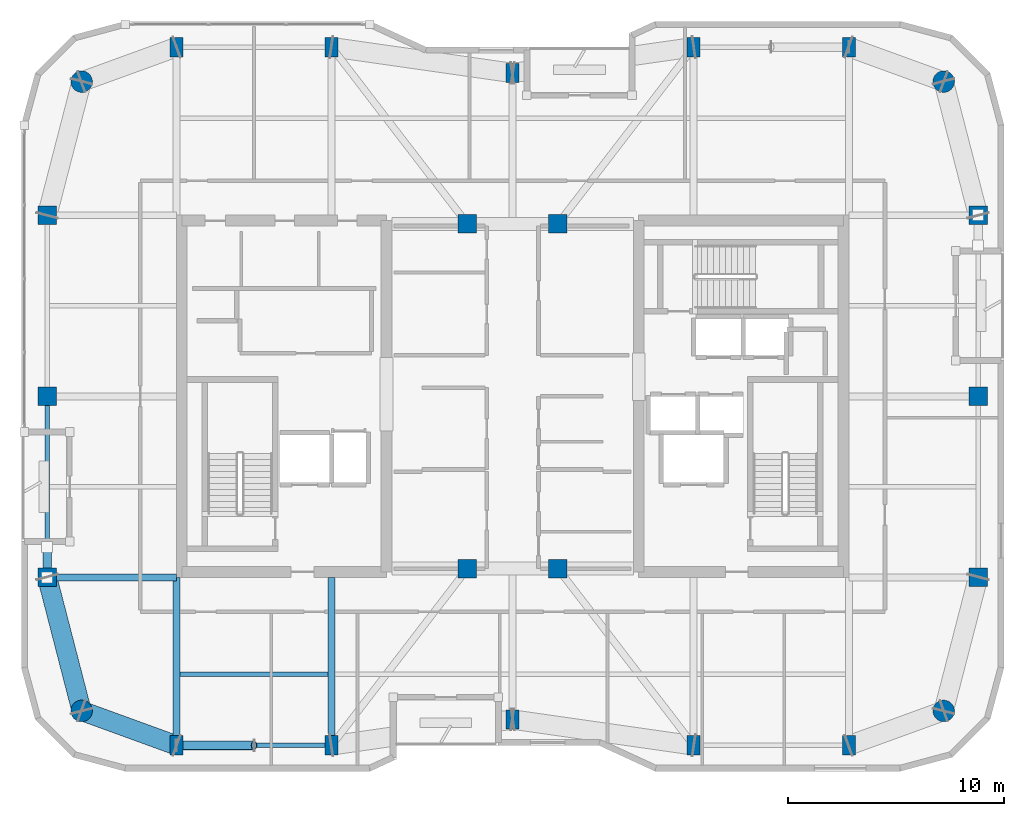
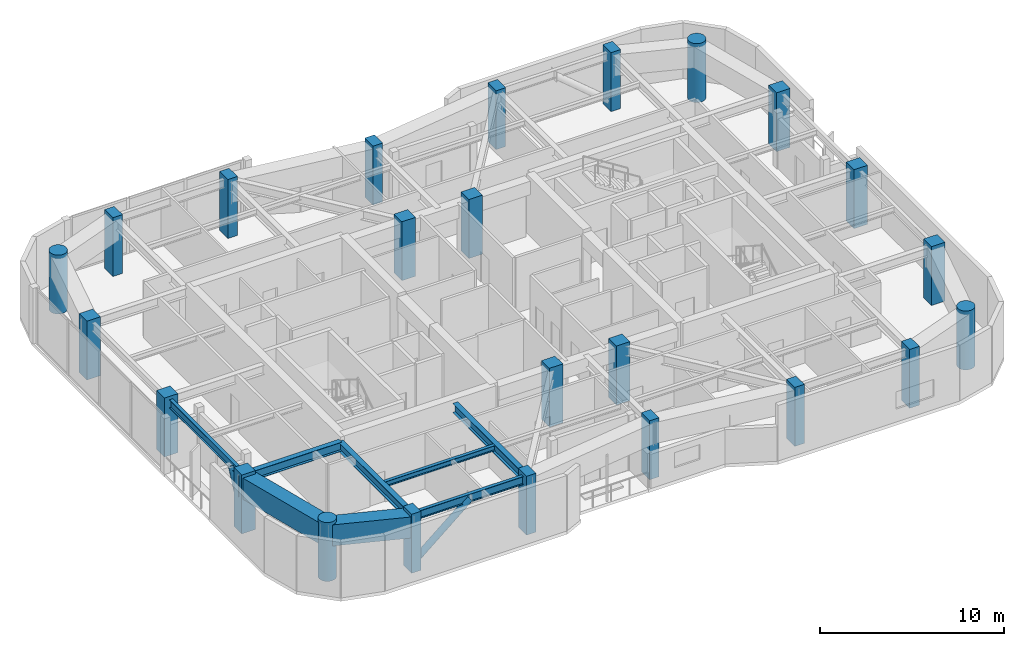
# One storey, part 1 of 15: 24 columns, 8 beams, 2 members.
"""IFC4 building model written with IfcOpenShell, lengths in metres."""

import ifcopenshell
import ifcopenshell.guid

model = None  # the IFC model being written
_history = None  # IfcOwnerHistory: only IFC2X3 demands one
_inside = {}  # id of a spatial element -> (the spatial element, [elements in it])
_under = {}  # id of a project, library or spatial element -> (it, [spatial elements below it])
_declared = {}  # id of a project -> (the project, [libraries it declares])
_typed = {}  # id of a type object -> (the type object, [elements of that type])
_made_of = {}  # id of a material, layer set ... -> (it, [elements and type objects made of it])


def new_model(schema):
    """Start an empty IFC model of exactly this schema.

    Asked for "IFC4X3", IfcOpenShell would pick the latest addendum, in which some entities
    have other attributes; the version numbers below select the first issue.
    IFC2X3 requires an IfcOwnerHistory on every rooted entity: one is made here for all.
    """
    global model, _history
    if schema == "IFC4X3":
        model = ifcopenshell.file(schema_version=(4, 3, 0, 0))
    else:
        model = ifcopenshell.file(schema=schema)
    _inside.clear()
    _under.clear()
    _declared.clear()
    _typed.clear()
    _made_of.clear()
    _history = None
    if model.schema == "IFC2X3":
        org = make("IfcOrganization", Name="unknown")
        user = make(
            "IfcPersonAndOrganization",
            ThePerson=make("IfcPerson", FamilyName="unknown"),
            TheOrganization=org,
        )
        app = make(
            "IfcApplication",
            ApplicationDeveloper=org,
            Version="unknown",
            ApplicationFullName="unknown",
            ApplicationIdentifier="unknown",
        )
        _history = make(
            "IfcOwnerHistory",
            OwningUser=user,
            OwningApplication=app,
            ChangeAction="ADDED",
            CreationDate=0,
        )
    return model


def make(cls, **values):
    """One entity of the class cls with the attributes given. An attribute that is None is left unset."""
    return model.create_entity(
        cls, **{name: value for name, value in values.items() if value is not None}
    )


def rooted(cls, **values):
    """An entity with a GlobalId (a new one), such as an element, a storey or a relation."""
    return make(cls, GlobalId=ifcopenshell.guid.new(), OwnerHistory=_history, **values)


def si_unit(unit_type, name, prefix=None):
    """IfcSIUnit, for example si_unit("LENGTHUNIT", "METRE", prefix="MILLI")."""
    return make("IfcSIUnit", UnitType=unit_type, Prefix=prefix, Name=name)


def assignment(units):
    """IfcUnitAssignment: the units of a project."""
    return None if units is None else make("IfcUnitAssignment", Units=units)


def point(xyz):
    """IfcCartesianPoint."""
    return None if xyz is None else make("IfcCartesianPoint", Coordinates=xyz)


def direction(xyz):
    """IfcDirection."""
    return None if xyz is None else make("IfcDirection", DirectionRatios=xyz)


def frame(location, z_axis=None, x_axis=None):
    """IfcAxis2Placement3D, a coordinate frame: its origin and axes. An axis left out is left unset."""
    return make(
        "IfcAxis2Placement3D",
        Location=point(location),
        Axis=direction(z_axis),
        RefDirection=direction(x_axis),
    )


def frame_2d(location, x_axis=None):
    """IfcAxis2Placement2D, a coordinate frame in the plane: its origin and x axis."""
    return make(
        "IfcAxis2Placement2D", Location=point(location), RefDirection=direction(x_axis)
    )


def origin():
    """The frame at (0, 0, 0) with its axes left unset."""
    return frame((0.0, 0.0, 0.0))


def origin_2d():
    """The frame at (0, 0) in the plane with its x axis left unset."""
    return frame_2d((0.0, 0.0))


def place(relative_to, where):
    """IfcLocalPlacement: puts the frame where relative to a parent placement (None: the world)."""
    return make(
        "IfcLocalPlacement", PlacementRelTo=relative_to, RelativePlacement=where
    )


def context(
    kind, dimensions, precision=None, world=None, true_north=None, identifier=None
):
    """IfcGeometricRepresentationContext, for example the 3D "Model" context."""
    return make(
        "IfcGeometricRepresentationContext",
        ContextIdentifier=identifier,
        ContextType=kind,
        CoordinateSpaceDimension=dimensions,
        Precision=precision,
        WorldCoordinateSystem=world,
        TrueNorth=true_north,
    )


def subcontext(parent, identifier, kind, view, scale=None):
    """IfcGeometricRepresentationSubContext, for example "Body" below "Model"."""
    return make(
        "IfcGeometricRepresentationSubContext",
        ContextIdentifier=identifier,
        ContextType=kind,
        ParentContext=parent,
        TargetScale=scale,
        TargetView=view,
    )


def project(units=None, contexts=None):
    """IfcProject with its units and contexts."""
    return rooted(
        "IfcProject",
        Name="project",
        RepresentationContexts=contexts,
        UnitsInContext=assignment(units),
    )


def spatial(cls, under=None, at=None, **own):
    """A site, building, storey or space (cls), placed at a placement, below another one or the project."""
    s = rooted(cls, ObjectPlacement=at, **own)
    if under is not None:
        _under.setdefault(under.id(), (under, []))[1].append(s)
    return s


def profile(cls, at=None, kind="AREA", **sizes):
    """A parametric profile (cls). Its sizes go by their IFC names, for example OverallWidth=200.0."""
    return make(cls, ProfileType=kind, Position=at, **sizes)


def rectangle(**sizes):
    """IfcRectangleProfileDef."""
    return profile("IfcRectangleProfileDef", **sizes)


def hollow_rectangle(**sizes):
    """IfcRectangleHollowProfileDef."""
    return profile("IfcRectangleHollowProfileDef", **sizes)


def circle(**sizes):
    """IfcCircleProfileDef."""
    return profile("IfcCircleProfileDef", **sizes)


def hollow_circle(**sizes):
    """IfcCircleHollowProfileDef."""
    return profile("IfcCircleHollowProfileDef", **sizes)


def i_section(**sizes):
    """IfcIShapeProfileDef."""
    return profile("IfcIShapeProfileDef", **sizes)


def extrude(swept, where, along, depth):
    """IfcExtrudedAreaSolid: the profile swept, set in the frame where, extruded along a direction by depth."""
    return make(
        "IfcExtrudedAreaSolid",
        SweptArea=swept,
        Position=where,
        ExtrudedDirection=direction(along),
        Depth=depth,
    )


def shape(context_of_items, identifier, shape_type, items):
    """IfcShapeRepresentation: the items that make up one representation, for example the "Body"."""
    return make(
        "IfcShapeRepresentation",
        ContextOfItems=context_of_items,
        RepresentationIdentifier=identifier,
        RepresentationType=shape_type,
        Items=items,
    )


def material(Name=None, Category=None):
    """IfcMaterial."""
    return make("IfcMaterial", Name=Name, Category=Category)


def material_profile(
    of_material, cross_section, Name=None, Category=None, Priority=None
):
    """IfcMaterialProfile: a cross section and its material."""
    return make(
        "IfcMaterialProfile",
        Name=Name,
        Material=of_material,
        Profile=cross_section,
        Priority=Priority,
        Category=Category,
    )


def profile_set(profiles, Name=None, composite=None):
    """IfcMaterialProfileSet."""
    return make(
        "IfcMaterialProfileSet",
        Name=Name,
        MaterialProfiles=profiles,
        CompositeProfile=composite,
    )


def made_of(thing, what):
    """Note that an element or type object is made of a material, layer set ...; save() writes the relation."""
    if what is not None:
        _made_of.setdefault(what.id(), (what, []))[1].append(thing)
    return thing


def type_object(cls, material=None, **own):
    """A type object (cls), such as IfcWallType, which elements share."""
    return made_of(rooted(cls, **own), material)


def element(
    cls,
    number,
    at=None,
    inside=None,
    cuts=None,
    type_object=None,
    material=None,
    context=None,
    identifier="Body",
    shape_type=None,
    held_by="IfcProductDefinitionShape",
    body=None,
    shapes=None,
    **own,
):
    """One element of the class cls, such as IfcWall. Its Tag is "e" and its number.

    at: its placement. inside: the storey or other place that contains it. cuts: it is an
    opening in that element (IfcRelVoidsElement). A single representation is given by context,
    identifier, shape_type and body (its items); several are given by shapes. held_by: the class
    of the entity that holds the representations. save() writes the other relations.
    """
    e = rooted(cls, Tag="e%d" % number, ObjectPlacement=at, **own)
    if body is not None:
        shapes = [shape(context, identifier, shape_type, body)]
    if shapes is not None:
        e.Representation = make(held_by, Representations=shapes)
    if inside is not None:
        _inside.setdefault(inside.id(), (inside, []))[1].append(e)
    if cuts is not None:
        rooted(
            "IfcRelVoidsElement", RelatingBuildingElement=cuts, RelatedOpeningElement=e
        )
    if type_object is not None:
        _typed.setdefault(type_object.id(), (type_object, []))[1].append(e)
    return made_of(e, material)


def aggregate(whole, parts):
    """IfcRelAggregates: a whole, such as a stair, and the parts it consists of."""
    return rooted("IfcRelAggregates", RelatingObject=whole, RelatedObjects=parts)


def save(model, path):
    """Write the relations noted so far, then the file.

    IfcRelAggregates (storeys below a building ...), IfcRelContainedInSpatialStructure (elements
    in a storey), IfcRelDefinesByType, IfcRelAssociatesMaterial and IfcRelDeclares: one each for
    every whole, place, type object, material and project.
    """
    for whole, parts in _under.values():
        aggregate(whole, parts)
    for where, things in _inside.values():
        rooted(
            "IfcRelContainedInSpatialStructure",
            RelatedElements=things,
            RelatingStructure=where,
        )
    for kind, things in _typed.values():
        rooted("IfcRelDefinesByType", RelatedObjects=things, RelatingType=kind)
    for what, things in _made_of.values():
        rooted("IfcRelAssociatesMaterial", RelatedObjects=things, RelatingMaterial=what)
    for by, libraries in _declared.values():
        rooted("IfcRelDeclares", RelatingContext=by, RelatedDefinitions=libraries)
    model.write(path)


model = new_model("IFC4")

# Units and contexts
model_context = context("Model", 3, precision=1e-05, world=origin(), true_north=direction((0.0, 1.0)))
body_context = subcontext(model_context, "Body", "Model", "MODEL_VIEW")
ifc_project = project(units=[si_unit("LENGTHUNIT", "METRE"), si_unit("AREAUNIT", "SQUARE_METRE"), si_unit("VOLUMEUNIT", "CUBIC_METRE"), si_unit("PLANEANGLEUNIT", "RADIAN"), si_unit("MASSUNIT", "GRAM", prefix="KILO")], contexts=[model_context])

# Site, building, storey
site_placement = place(None, origin())
site = spatial("IfcSite", under=ifc_project, at=site_placement, CompositionType="ELEMENT")
building_placement = place(site_placement, origin())
building = spatial("IfcBuilding", under=site, at=building_placement, Name="Kiyonajd Concourse Tower", CompositionType="ELEMENT")
storey_placement = place(building_placement, frame((0.0, 0.0, 314.10009765625)))
storey = spatial("IfcBuildingStorey", under=building, at=storey_placement, Name="L79", CompositionType="ELEMENT", Elevation=314.10009765625)

# Columns
ifc_material_1 = material(Name="Concrete C60/75", Category="concrete")
ifc_material_profile_1 = material_profile(ifc_material_1, rectangle(XDim=0.60009765625, YDim=0.89990234375, at=origin_2d()), Name="RC-900x600")
ifc_profile_set_1 = profile_set([ifc_material_profile_1], Name="Concrete C60/75")
column_type_1 = type_object("IfcColumnType", Name="CL-BLADE-900", PredefinedType="COLUMN", material=ifc_profile_set_1)
for number, where, z_axis, x_axis, name in (
    (1, (32.39990234375, 19.800048828125, 0.0), (0.0, 0.0, 1.0), (1.0, 0.0, 0.0), "L79 Perimeter Bundled Tube Column"),
    (2, (32.39990234375, 52.199951171875, 0.0), (0.0, 0.0, 1.0), (1.0, 0.0, 0.0), "L79 Perimeter Bundled Tube Column"),
    (3, (39.60009765625, 19.800048828125, 0.0), (0.0, 0.0, 1.0), (1.0, 0.0, 0.0), "L79 Perimeter Bundled Tube Column"),
    (4, (39.60009765625, 52.199951171875, 0.0), (0.0, 0.0, 1.0), (1.0, 0.0, 0.0), "L79 Perimeter Bundled Tube Column"),
    (5, (48.0, 21.0, 0.0), (0.0, 0.0, 1.0), (1.0, 0.0, 0.0), "L79 Perimeter Bundled Tube Column"),
    (6, (48.0, 51.0, 0.0), (0.0, 0.0, 1.0), (1.0, 0.0, 0.0), "L79 Perimeter Bundled Tube Column"),
    (7, (56.39990234375, 19.800048828125, 0.0), (0.0, 0.0, 1.0), (1.0, 0.0, 0.0), "L79 Perimeter Bundled Tube Column"),
    (8, (56.39990234375, 52.199951171875, 0.0), (0.0, 0.0, 1.0), (1.0, 0.0, 0.0), "L79 Perimeter Bundled Tube Column"),
    (9, (63.60009765625, 19.800048828125, 0.0), (0.0, 0.0, 1.0), (1.0, 0.0, 0.0), "L79 Perimeter Bundled Tube Column"),
    (10, (63.60009765625, 52.199951171875, 0.0), (0.0, 0.0, 1.0), (1.0, 0.0, 0.0), "L79 Perimeter Bundled Tube Column"),
):
    element("IfcColumn", number, at=place(storey_placement, frame(where, z_axis=z_axis, x_axis=x_axis)), inside=storey, type_object=column_type_1, Name=name, PredefinedType="COLUMN", context=body_context, shape_type="SweptSolid", body=[
        extrude(rectangle(XDim=0.60009765625, YDim=0.89990234375, at=origin_2d()), origin(), (0.0, 0.0, 1.0), 3.89990234375),
    ])
ifc_material_profile_2 = material_profile(ifc_material_1, circle(Radius=0.5, at=origin_2d()), Name="RCC-D1000")
ifc_profile_set_2 = profile_set([ifc_material_profile_2], Name="Concrete C60/75")
column_type_2 = type_object("IfcColumnType", Name="CL-RND-1000", PredefinedType="COLUMN", material=ifc_profile_set_2)
for number, where, z_axis, x_axis, name in (
    (11, (28.0, 21.39990234375, 0.0), (0.0, 0.0, 1.0), (1.0, 0.0, 0.0), "L79 Bundled Tube Corner Column South West"),
    (12, (68.0, 21.39990234375, 0.0), (0.0, 0.0, 1.0), (1.0, 0.0, 0.0), "L79 Bundled Tube Corner Column South East"),
    (13, (68.0, 50.60009765625, 0.0), (0.0, 0.0, 1.0), (1.0, 0.0, 0.0), "L79 Bundled Tube Corner Column North East"),
    (14, (28.0, 50.60009765625, 0.0), (0.0, 0.0, 1.0), (1.0, 0.0, 0.0), "L79 Bundled Tube Corner Column North West"),
):
    element("IfcColumn", number, at=place(storey_placement, frame(where, z_axis=z_axis, x_axis=x_axis)), inside=storey, type_object=column_type_2, Name=name, PredefinedType="COLUMN", context=body_context, shape_type="SweptSolid", body=[
        extrude(circle(Radius=0.5, at=origin_2d()), origin(), (0.0, 0.0, 1.0), 3.89990234375),
    ])
ifc_material_profile_3 = material_profile(ifc_material_1, rectangle(XDim=0.85009765625, YDim=0.85009765625, at=origin_2d()), Name="RC-850x850")
ifc_profile_set_3 = profile_set([ifc_material_profile_3], Name="Concrete C60/75")
column_type_3 = type_object("IfcColumnType", Name="CL-TUBE-850", PredefinedType="COLUMN", material=ifc_profile_set_3)
for number, where, z_axis, x_axis, name in (
    (15, (26.39990234375, 27.60009765625, 0.0), (0.0, 0.0, 1.0), (1.0, 0.0, 0.0), "L79 Perimeter Bundled Tube Column"),
    (16, (69.60009765625, 27.60009765625, 0.0), (0.0, 0.0, 1.0), (1.0, 0.0, 0.0), "L79 Perimeter Bundled Tube Column"),
    (17, (26.39990234375, 36.0, 0.0), (0.0, 0.0, 1.0), (1.0, 0.0, 0.0), "L79 Perimeter Bundled Tube Column"),
    (18, (69.60009765625, 36.0, 0.0), (0.0, 0.0, 1.0), (1.0, 0.0, 0.0), "L79 Perimeter Bundled Tube Column"),
    (19, (26.39990234375, 44.39990234375, 0.0), (0.0, 0.0, 1.0), (1.0, 0.0, 0.0), "L79 Perimeter Bundled Tube Column"),
    (20, (69.60009765625, 44.39990234375, 0.0), (0.0, 0.0, 1.0), (1.0, 0.0, 0.0), "L79 Perimeter Bundled Tube Column"),
    (21, (45.89990234375, 28.0, 0.0), (0.0, 0.0, 1.0), (1.0, 0.0, 0.0), "L79 Core Tie Column South West"),
    (22, (50.10009765625, 28.0, 0.0), (0.0, 0.0, 1.0), (1.0, 0.0, 0.0), "L79 Core Tie Column South East"),
    (23, (45.89990234375, 44.0, 0.0), (0.0, 0.0, 1.0), (1.0, 0.0, 0.0), "L79 Core Tie Column North West"),
    (24, (50.10009765625, 44.0, 0.0), (0.0, 0.0, 1.0), (1.0, 0.0, 0.0), "L79 Core Tie Column North East"),
):
    element("IfcColumn", number, at=place(storey_placement, frame(where, z_axis=z_axis, x_axis=x_axis)), inside=storey, type_object=column_type_3, Name=name, PredefinedType="COLUMN", context=body_context, shape_type="SweptSolid", body=[
        extrude(rectangle(XDim=0.85009765625, YDim=0.85009765625, at=origin_2d()), origin(), (0.0, 0.0, 1.0), 3.89990234375),
    ])

# Beams
ifc_material_2 = material(Name="Steel ASTM A992 Grade 50", Category="steel")
ifc_material_profile_4 = material_profile(ifc_material_2, i_section(OverallWidth=0.205078125, OverallDepth=0.35400390625, WebThickness=0.009521484375, FlangeThickness=0.016845703125, at=origin_2d()), Name="W360X79")
ifc_profile_set_4 = profile_set([ifc_material_profile_4], Name="Steel ASTM A992 Grade 50")
beam_type_1 = type_object("IfcBeamType", Name="BM-JST-360", PredefinedType="JOIST", material=ifc_profile_set_4)
beam_1_placement = place(storey_placement, frame((32.56201171875, 23.10009765625, 3.5029296875), z_axis=(1.0, 0.0, 0.0), x_axis=(0.0, 1.0, 0.0)))
element("IfcBeam", 25, at=beam_1_placement, inside=storey, type_object=beam_type_1, Name="L79 Secondary Floor Joist", PredefinedType="JOIST", context=body_context, shape_type="SweptSolid", body=[
    extrude(i_section(OverallWidth=0.205078125, OverallDepth=0.35400390625, WebThickness=0.009521484375, FlangeThickness=0.016845703125, at=origin_2d()), origin(), (0.0, 0.0, 1.0), 6.8759765625),
])
ifc_material_profile_5 = material_profile(ifc_material_2, i_section(OverallWidth=0.2109375, OverallDepth=0.5390625, WebThickness=0.01171875, FlangeThickness=0.018798828125, at=origin_2d()), Name="W530X109")
ifc_profile_set_5 = profile_set([ifc_material_profile_5], Name="Steel ASTM A992 Grade 50")
beam_type_2 = type_object("IfcBeamType", Name="BM-SPAN-530B", PredefinedType="SPANDREL", material=ifc_profile_set_5)
beam_2_placement = place(storey_placement, frame((32.39990234375, 19.800048828125, 3.410400390625), z_axis=(1.0, 0.0, 0.0), x_axis=(0.0, 1.0, 0.0)))
element("IfcBeam", 26, at=beam_2_placement, inside=storey, type_object=beam_type_2, Name="L79 Perimeter Bundled Tube Spandrel", PredefinedType="SPANDREL", context=body_context, shape_type="SweptSolid", body=[
    extrude(i_section(OverallWidth=0.2109375, OverallDepth=0.5390625, WebThickness=0.01171875, FlangeThickness=0.018798828125, at=origin_2d()), origin(), (0.0, 0.0, 1.0), 7.2001953125),
])
beam_3_placement = place(storey_placement, frame((26.39990234375, 36.0, 3.410400390625), z_axis=(0.0, -1.0, 0.0), x_axis=(1.0, 0.0, 0.0)))
element("IfcBeam", 27, at=beam_3_placement, inside=storey, type_object=beam_type_2, Name="L79 Perimeter Bundled Tube Spandrel", PredefinedType="SPANDREL", context=body_context, shape_type="SweptSolid", body=[
    extrude(i_section(OverallWidth=0.2109375, OverallDepth=0.5390625, WebThickness=0.01171875, FlangeThickness=0.018798828125, at=origin_2d()), origin(), (0.0, 0.0, 1.0), 8.39990234375),
])
ifc_material_profile_6 = material_profile(ifc_material_2, i_section(OverallWidth=0.323974609375, OverallDepth=0.611083984375, WebThickness=0.0126953125, FlangeThickness=0.01904296875, at=origin_2d()), Name="W610X155")
ifc_profile_set_6 = profile_set([ifc_material_profile_6], Name="Steel ASTM A992 Grade 50")
beam_type_3 = type_object("IfcBeamType", Name="BM-TWR-610B", PredefinedType="BEAM", material=ifc_profile_set_6)
for number, where, z_axis, x_axis, name in (
    (28, (32.39990234375, 19.800048828125, 3.37451171875), (0.0, 1.0, 0.0), (-1.0, 0.0, 0.0), "L79 South Lease Girder"),
    (29, (39.60009765625, 19.800048828125, 3.37451171875), (0.0, 1.0, 0.0), (-1.0, 0.0, 0.0), "L79 South Lease Girder"),
):
    element("IfcBeam", number, at=place(storey_placement, frame(where, z_axis=z_axis, x_axis=x_axis)), inside=storey, type_object=beam_type_3, Name=name, PredefinedType="BEAM", context=body_context, shape_type="SweptSolid", body=[
        extrude(i_section(OverallWidth=0.323974609375, OverallDepth=0.611083984375, WebThickness=0.0126953125, FlangeThickness=0.01904296875, at=origin_2d()), origin(), (0.0, 0.0, 1.0), 7.800048828125),
    ])
beam_4_placement = place(storey_placement, frame((26.39990234375, 27.60009765625, 3.37451171875), z_axis=(1.0, 0.0, 0.0), x_axis=(0.0, 1.0, 0.0)))
element("IfcBeam", 30, at=beam_4_placement, inside=storey, type_object=beam_type_3, Name="L79 West Lease Girder", PredefinedType="BEAM", context=body_context, shape_type="SweptSolid", body=[
    extrude(i_section(OverallWidth=0.323974609375, OverallDepth=0.611083984375, WebThickness=0.0126953125, FlangeThickness=0.01904296875, at=origin_2d()), origin(), (0.0, 0.0, 1.0), 6.0),
])
ifc_material_3 = material(Name="Steel ASTM A572 Grade 50", Category="steel")
ifc_material_profile_7 = material_profile(ifc_material_3, hollow_rectangle(XDim=0.89990234375, YDim=1.39990234375, WallThickness=0.070068359375, at=origin_2d()), Name="BOX-1400x900x70")
ifc_profile_set_7 = profile_set([ifc_material_profile_7], Name="Steel ASTM A572 Grade 50")
beam_type_4 = type_object("IfcBeamType", Name="BM-XFER-1400", PredefinedType="BEAM", material=ifc_profile_set_7)
beam_5_placement = place(storey_placement, frame((26.39990234375, 27.60009765625, 2.97998046875), z_axis=(0.249884937687, -0.968275538221, 0.0), x_axis=(0.968275538221, 0.249884937687, 0.0)))
element("IfcBeam", 31, at=beam_5_placement, inside=storey, type_object=beam_type_4, Name="L79 Perimeter Bundled Tube Spandrel", PredefinedType="BEAM", context=body_context, shape_type="SweptSolid", body=[
    extrude(hollow_rectangle(XDim=0.89990234375, YDim=1.39990234375, WallThickness=0.070068359375, at=origin_2d()), origin(), (0.0, 0.0, 1.0), 6.4033203125),
])
beam_6_placement = place(storey_placement, frame((28.0, 21.39990234375, 2.97998046875), z_axis=(0.939801036019, -0.341722127901, 0.0), x_axis=(0.341722127901, 0.939801036019, 0.0)))
element("IfcBeam", 32, at=beam_6_placement, inside=storey, type_object=beam_type_4, Name="L79 Perimeter Bundled Tube Spandrel", PredefinedType="BEAM", context=body_context, shape_type="SweptSolid", body=[
    extrude(hollow_rectangle(XDim=0.89990234375, YDim=1.39990234375, WallThickness=0.070068359375, at=origin_2d()), origin(), (0.0, 0.0, 1.0), 4.681640625),
])

# Members
ifc_material_4 = material(Name="Steel ASTM A500 Grade C", Category="steel")
ifc_material_profile_8 = material_profile(ifc_material_4, hollow_circle(Radius=0.202880859375, WallThickness=0.01904296875, at=origin_2d()), Name="CHS-406x19")
ifc_profile_set_8 = profile_set([ifc_material_profile_8], Name="Steel ASTM A500 Grade C")
member_type = type_object("IfcMemberType", Name="MB-PB-HIGH", PredefinedType="BRACE", material=ifc_profile_set_8)
member_1_placement = place(storey_placement, frame((32.39990234375, 19.800048828125, 0.2998046875), z_axis=(0.765082043761, 0.0, 0.643932811957), x_axis=(0.0, 1.0, 0.0)))
element("IfcMember", 33, at=member_1_placement, inside=storey, type_object=member_type, Name="L79 Upper Zone Hollow Tube Brace PBS", PredefinedType="BRACE", context=body_context, shape_type="SweptSolid", body=[
    extrude(hollow_circle(Radius=0.202880859375, WallThickness=0.01904296875, at=origin_2d()), origin(), (0.0, 0.0, 1.0), 4.70556640625),
])
member_2_placement = place(storey_placement, frame((26.39990234375, 27.60009765625, 0.2998046875), z_axis=(0.0, 0.419410666774, 0.907796614114), x_axis=(-1.0, 0.0, 0.0)))
element("IfcMember", 34, at=member_2_placement, inside=storey, type_object=member_type, Name="L79 Upper Zone Hollow Tube Brace PBW", PredefinedType="BRACE", context=body_context, shape_type="SweptSolid", body=[
    extrude(hollow_circle(Radius=0.202880859375, WallThickness=0.01904296875, at=origin_2d()), origin(), (0.0, 0.0, 1.0), 3.337890625),
])

save(model, "model.ifc")
